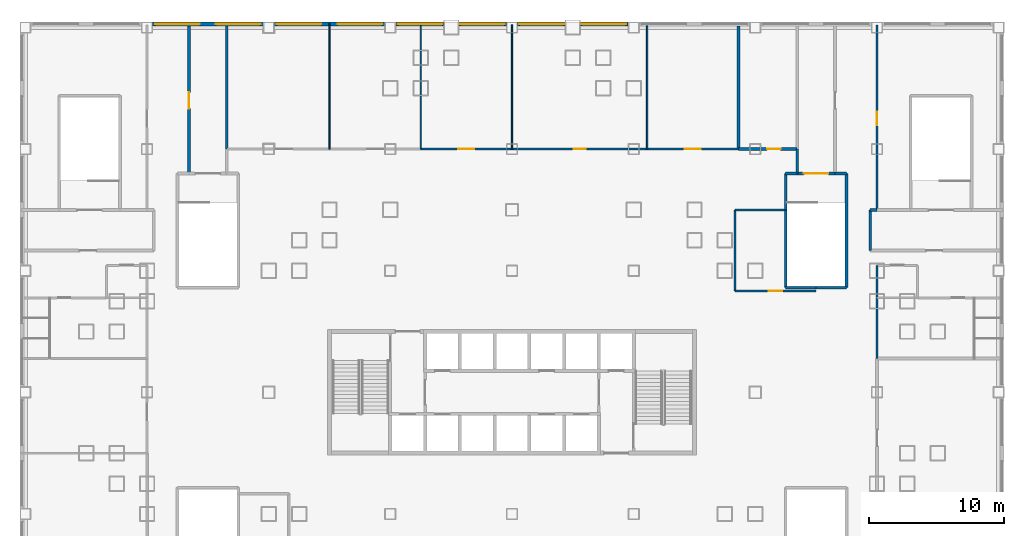
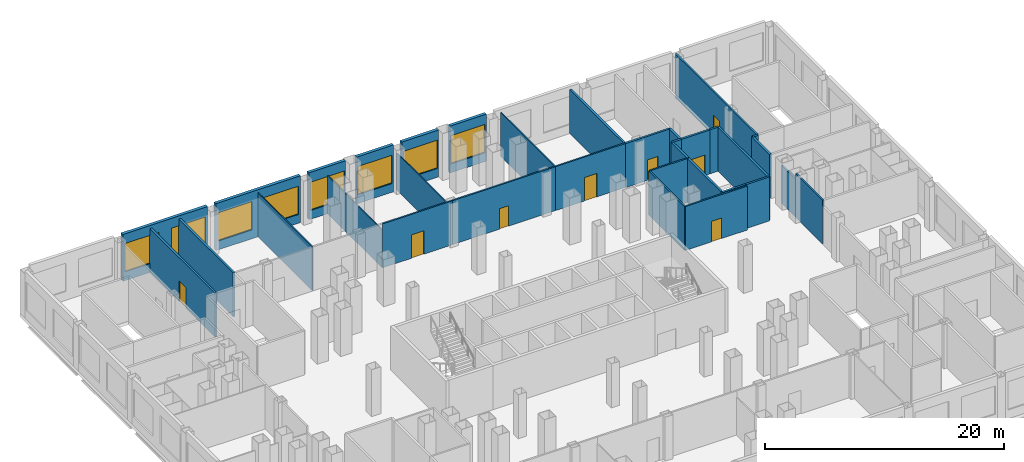
# One storey, part 6 of 13: 34 walls, 8 doors, 8 windows, 16 openings.
"""IFC4 building model written with IfcOpenShell, lengths in metres."""

from ifc_helpers import new_model, si_unit, direction, frame, frame_2d, origin, place, context, subcontext, project, spatial, rectangle, extrude, material, layer, layer_set, type_object, element, fill, save


model = new_model("IFC4")

# Units and contexts
model_context = context("Model", 3, precision=1e-05, world=origin(), true_north=direction((0.0, 1.0)))
body_context = subcontext(model_context, "Body", "Model", "MODEL_VIEW")
ifc_project = project(units=[si_unit("LENGTHUNIT", "METRE"), si_unit("AREAUNIT", "SQUARE_METRE"), si_unit("VOLUMEUNIT", "CUBIC_METRE"), si_unit("PLANEANGLEUNIT", "RADIAN"), si_unit("MASSUNIT", "GRAM", prefix="KILO")], contexts=[model_context])

# Site, building, storey
site_placement = place(None, origin())
site = spatial("IfcSite", under=ifc_project, at=site_placement, CompositionType="ELEMENT")
building_placement = place(site_placement, origin())
building = spatial("IfcBuilding", under=site, at=building_placement, Name="Caravel Reach Hotel and Residences", CompositionType="ELEMENT")
storey_placement = place(building_placement, frame((0.0, 0.0, 28.800048828125)))
storey = spatial("IfcBuildingStorey", under=building, at=storey_placement, Name="L05", CompositionType="ELEMENT", Elevation=28.800048828125)

# Wall
ifc_material_1 = material(Name="Autoclaved aerated block wall")
ifc_layer_1 = layer(ifc_material_1, 0.199951171875)
ifc_layer_set_1 = layer_set([ifc_layer_1], Name="Compartment wall 200 mm EI 120")
wall_type_1 = type_object("IfcWallType", Name="Compartment wall 200 mm EI 120", PredefinedType="PARTITIONING", material=ifc_layer_set_1)
wall_1_placement = place(storey_placement, frame((58.0, 40.5, 0.0), z_axis=(0.0, 0.0, 1.0), x_axis=(1.0, 0.0, 0.0)))
element("IfcWall", 1, at=wall_1_placement, inside=storey, type_object=wall_type_1, Name="L05 wall w057", PredefinedType="PARTITIONING", context=body_context, shape_type="SweptSolid", body=[
    extrude(rectangle(XDim=0.5, YDim=0.199951171875, at=frame_2d((0.25, 0.0))), origin(), (0.0, 0.0, 1.0), 4.5),
])

# Wall, opening, door
wall_2_placement = place(storey_placement, frame((48.25, 45.0, 0.0), z_axis=(0.0, 0.0, 1.0), x_axis=(1.0, 0.0, 0.0)))
wall_2 = element("IfcWall", 2, at=wall_2_placement, inside=storey, type_object=wall_type_1, Name="L05 wall w060", PredefinedType="PARTITIONING", context=body_context, shape_type="SweptSolid", body=[
    extrude(rectangle(XDim=4.35009765625, YDim=0.199951171875, at=frame_2d((2.175048828125, 0.0))), origin(), (0.0, 0.0, 1.0), 4.5),
])
opening_1_placement = place(wall_2_placement, frame((2.125, 0.0, 0.0)))
opening_1 = element("IfcOpeningElement", 3, at=opening_1_placement, cuts=wall_2, Name="Opening D05-047", PredefinedType="OPENING", context=body_context, shape_type="SweptSolid", body=[
    extrude(rectangle(XDim=1.0, YDim=2.10009765625, at=frame_2d((0.5, 1.050048828125))), frame((0.0, 0.10986328125, 0.0), z_axis=(0.0, -1.0, 0.0), x_axis=(1.0, 0.0, 0.0)), (0.0, 0.0, 1.0), 0.219970703125),
])
ifc_material_2 = material(Name="Steel fire door leaf", Category="steel")
door_type_1 = type_object("IfcDoorType", Name="Fire door 1000 x 2100 EI 60", OperationType="SINGLE_SWING_LEFT", PredefinedType="DOOR", material=ifc_material_2)
door_1_placement = place(opening_1_placement, origin())
door_1 = element("IfcDoor", 4, at=door_1_placement, inside=storey, type_object=door_type_1, Name="door D05-047", OperationType="SINGLE_SWING_RIGHT", OverallHeight=2.10009765625, OverallWidth=1.0, PredefinedType="DOOR", context=body_context, shape_type="SweptSolid", body=[
    extrude(rectangle(XDim=1.0, YDim=2.10009765625, at=frame_2d((0.5, 1.050048828125))), frame((0.0, 0.02490234375, 0.0), z_axis=(0.0, -1.0, 0.0), x_axis=(1.0, 0.0, 0.0)), (0.0, 0.0, 1.0), 0.050048828125),
])
fill(opening_1, door_1)

# Walls
for number, where, z_axis, x_axis, name in (
    (5, (10.39990234375, 45.0, 0.0), (0.0, 0.0, 1.0), (0.0, 1.0, 0.0), "L05 wall w062"),
    (6, (48.25, 45.0, 0.0), (0.0, 0.0, 1.0), (0.0, 1.0, 0.0), "L05 wall w065"),
):
    element("IfcWall", number, at=place(storey_placement, frame(where, z_axis=z_axis, x_axis=x_axis)), inside=storey, type_object=wall_type_1, Name=name, PredefinedType="PARTITIONING", context=body_context, shape_type="SweptSolid", body=[
        extrude(rectangle(XDim=9.1201171875, YDim=0.199951171875, at=frame_2d((4.56005859375, 0.0))), origin(), (0.0, 0.0, 1.0), 4.5),
    ])
wall_3_placement = place(storey_placement, frame((52.60009765625, 43.199951171875, 0.0), z_axis=(0.0, 0.0, 1.0), x_axis=(0.0, 1.0, 0.0)))
element("IfcWall", 7, at=wall_3_placement, inside=storey, type_object=wall_type_1, Name="L05 wall w067", PredefinedType="PARTITIONING", context=body_context, shape_type="SweptSolid", body=[
    extrude(rectangle(XDim=1.800048828125, YDim=0.199951171875, at=frame_2d((0.89990234375, 0.0))), origin(), (0.0, 0.0, 1.0), 4.5),
])
wall_4_placement = place(storey_placement, frame((58.0, 37.5, 0.0), z_axis=(0.0, 0.0, 1.0), x_axis=(0.0, 1.0, 0.0)))
element("IfcWall", 8, at=wall_4_placement, inside=storey, type_object=wall_type_1, Name="L05 wall w074", PredefinedType="PARTITIONING", context=body_context, shape_type="SweptSolid", body=[
    extrude(rectangle(XDim=3.0, YDim=0.199951171875, at=frame_2d((1.5, 0.0))), origin(), (0.0, 0.0, 1.0), 4.5),
])

# Wall, opening, door
wall_5_placement = place(storey_placement, frame((7.60009765625, 43.199951171875, 0.0), z_axis=(0.0, 0.0, 1.0), x_axis=(0.0, 1.0, 0.0)))
wall_5 = element("IfcWall", 9, at=wall_5_placement, inside=storey, type_object=wall_type_1, Name="L05 wall w079", PredefinedType="PARTITIONING", context=body_context, shape_type="SweptSolid", body=[
    extrude(rectangle(XDim=10.920166015625, YDim=0.199951171875, at=frame_2d((5.4599609375, 0.0))), origin(), (0.0, 0.0, 1.0), 4.5),
])
opening_2_placement = place(wall_5_placement, frame((4.800048828125, 0.0, 0.0)))
opening_2 = element("IfcOpeningElement", 10, at=opening_2_placement, cuts=wall_5, Name="Opening D05-014", PredefinedType="OPENING", context=body_context, shape_type="SweptSolid", body=[
    extrude(rectangle(XDim=1.199951171875, YDim=2.10009765625, at=frame_2d((0.60009765625, 1.050048828125))), frame((0.0, 0.10986328125, 0.0), z_axis=(0.0, -1.0, 0.0), x_axis=(1.0, 0.0, 0.0)), (0.0, 0.0, 1.0), 0.219970703125),
])
ifc_material_3 = material(Name="Steel fire door leaf", Category="steel")
door_type_2 = type_object("IfcDoorType", Name="Fire lobby door 1200 x 2100 EI 90", OperationType="SINGLE_SWING_LEFT", PredefinedType="DOOR", material=ifc_material_3)
door_2_placement = place(opening_2_placement, origin())
door_2 = element("IfcDoor", 11, at=door_2_placement, inside=storey, type_object=door_type_2, Name="door D05-014", OperationType="SINGLE_SWING_RIGHT", OverallHeight=2.10009765625, OverallWidth=1.199951171875, PredefinedType="DOOR", context=body_context, shape_type="SweptSolid", body=[
    extrude(rectangle(XDim=1.199951171875, YDim=2.10009765625, at=frame_2d((0.60009765625, 1.050048828125))), frame((0.0, 0.02490234375, 0.0), z_axis=(0.0, -1.0, 0.0), x_axis=(1.0, 0.0, 0.0)), (0.0, 0.0, 1.0), 0.050048828125),
])
fill(opening_2, door_2)

ifc_material_4 = material(Name="Gypsum board on steel stud, fire-rated", Category="steel")
ifc_layer_2 = layer(ifc_material_4, 0.14990234375)
ifc_layer_set_2 = layer_set([ifc_layer_2], Name="Corridor wall 150 mm EI 60")
wall_type_2 = type_object("IfcWallType", Name="Corridor wall 150 mm EI 60", PredefinedType="PARTITIONING", material=ifc_layer_set_2)
wall_6_placement = place(storey_placement, frame((48.0, 34.5, 0.0), z_axis=(0.0, 0.0, 1.0), x_axis=(1.0, 0.0, 0.0)))
wall_6 = element("IfcWall", 12, at=wall_6_placement, inside=storey, type_object=wall_type_2, Name="L05 wall w005", PredefinedType="PARTITIONING", context=body_context, shape_type="SweptSolid", body=[
    extrude(rectangle(XDim=6.0, YDim=0.14990234375, at=frame_2d((3.0, 0.0))), origin(), (0.0, 0.0, 1.0), 4.5),
])
opening_3_placement = place(wall_6_placement, frame((2.5, 0.0, 0.0)))
opening_3 = element("IfcOpeningElement", 13, at=opening_3_placement, cuts=wall_6, Name="Opening D05-049", PredefinedType="OPENING", context=body_context, shape_type="SweptSolid", body=[
    extrude(rectangle(XDim=1.0, YDim=2.10009765625, at=frame_2d((0.5, 1.050048828125))), frame((0.0, 0.0849609375, 0.0), z_axis=(0.0, -1.0, 0.0), x_axis=(1.0, 0.0, 0.0)), (0.0, 0.0, 1.0), 0.169921875),
])
door_3_placement = place(opening_3_placement, origin())
door_3 = element("IfcDoor", 14, at=door_3_placement, inside=storey, type_object=door_type_1, Name="door D05-049", OperationType="SINGLE_SWING_RIGHT", OverallHeight=2.10009765625, OverallWidth=1.0, PredefinedType="DOOR", context=body_context, shape_type="SweptSolid", body=[
    extrude(rectangle(XDim=1.0, YDim=2.10009765625, at=frame_2d((0.5, 1.050048828125))), frame((0.0, 0.02490234375, 0.0), z_axis=(0.0, -1.0, 0.0), x_axis=(1.0, 0.0, 0.0)), (0.0, 0.0, 1.0), 0.050048828125),
])
fill(opening_3, door_3)

# Wall
wall_7_placement = place(storey_placement, frame((48.0, 40.5, 0.0), z_axis=(0.0, 0.0, 1.0), x_axis=(1.0, 0.0, 0.0)))
element("IfcWall", 15, at=wall_7_placement, inside=storey, type_object=wall_type_2, Name="L05 wall w008", PredefinedType="PARTITIONING", context=body_context, shape_type="SweptSolid", body=[
    extrude(rectangle(XDim=3.75, YDim=0.14990234375, at=frame_2d((1.875, 0.0))), origin(), (0.0, 0.0, 1.0), 4.5),
])

# Wall, opening, door
wall_8_placement = place(storey_placement, frame((24.75, 45.0, 0.0), z_axis=(0.0, 0.0, 1.0), x_axis=(1.0, 0.0, 0.0)))
wall_8 = element("IfcWall", 16, at=wall_8_placement, inside=storey, type_object=wall_type_2, Name="L05 wall w011", PredefinedType="PARTITIONING", context=body_context, shape_type="SweptSolid", body=[
    extrude(rectangle(XDim=6.75, YDim=0.14990234375, at=frame_2d((3.375, 0.0))), origin(), (0.0, 0.0, 1.0), 4.5),
])
opening_4_placement = place(wall_8_placement, frame((2.77490234375, 0.0, 0.0)))
opening_4 = element("IfcOpeningElement", 17, at=opening_4_placement, cuts=wall_8, Name="Opening D05-044", PredefinedType="OPENING", context=body_context, shape_type="SweptSolid", body=[
    extrude(rectangle(XDim=1.199951171875, YDim=2.39990234375, at=frame_2d((0.60009765625, 1.199951171875))), frame((0.0, 0.0849609375, 0.0), z_axis=(0.0, -1.0, 0.0), x_axis=(1.0, 0.0, 0.0)), (0.0, 0.0, 1.0), 0.169921875),
])
ifc_material_5 = material(Name="Timber and steel door leaf", Category="steel")
door_type_3 = type_object("IfcDoorType", Name="Glazed door 1200 x 2400", OperationType="SINGLE_SWING_LEFT", PredefinedType="DOOR", material=ifc_material_5)
door_4_placement = place(opening_4_placement, origin())
door_4 = element("IfcDoor", 18, at=door_4_placement, inside=storey, type_object=door_type_3, Name="door D05-044", OperationType="SINGLE_SWING_LEFT", OverallHeight=2.39990234375, OverallWidth=1.199951171875, PredefinedType="DOOR", context=body_context, shape_type="SweptSolid", body=[
    extrude(rectangle(XDim=1.199951171875, YDim=2.39990234375, at=frame_2d((0.60009765625, 1.199951171875))), frame((0.0, 0.02490234375, 0.0), z_axis=(0.0, -1.0, 0.0), x_axis=(1.0, 0.0, 0.0)), (0.0, 0.0, 1.0), 0.050048828125),
])
fill(opening_4, door_4)

wall_9_placement = place(storey_placement, frame((31.5, 45.0, 0.0), z_axis=(0.0, 0.0, 1.0), x_axis=(1.0, 0.0, 0.0)))
wall_9 = element("IfcWall", 19, at=wall_9_placement, inside=storey, type_object=wall_type_2, Name="L05 wall w012", PredefinedType="PARTITIONING", context=body_context, shape_type="SweptSolid", body=[
    extrude(rectangle(XDim=10.0, YDim=0.14990234375, at=frame_2d((5.0, 0.0))), origin(), (0.0, 0.0, 1.0), 4.5),
])
opening_5_placement = place(wall_9_placement, frame((4.550048828125, 0.0, 0.0)))
opening_5 = element("IfcOpeningElement", 20, at=opening_5_placement, cuts=wall_9, Name="Opening D05-045", PredefinedType="OPENING", context=body_context, shape_type="SweptSolid", body=[
    extrude(rectangle(XDim=0.89990234375, YDim=2.10009765625, at=frame_2d((0.449951171875, 1.050048828125))), frame((0.0, 0.0849609375, 0.0), z_axis=(0.0, -1.0, 0.0), x_axis=(1.0, 0.0, 0.0)), (0.0, 0.0, 1.0), 0.169921875),
])
ifc_material_6 = material(Name="Timber and steel door leaf", Category="steel")
door_type_4 = type_object("IfcDoorType", Name="Door 900 x 2100 timber", OperationType="SINGLE_SWING_LEFT", PredefinedType="DOOR", material=ifc_material_6)
door_5_placement = place(opening_5_placement, origin())
door_5 = element("IfcDoor", 21, at=door_5_placement, inside=storey, type_object=door_type_4, Name="door D05-045", OperationType="SINGLE_SWING_RIGHT", OverallHeight=2.10009765625, OverallWidth=0.89990234375, PredefinedType="DOOR", context=body_context, shape_type="SweptSolid", body=[
    extrude(rectangle(XDim=0.89990234375, YDim=2.10009765625, at=frame_2d((0.449951171875, 1.050048828125))), frame((0.0, 0.02490234375, 0.0), z_axis=(0.0, -1.0, 0.0), x_axis=(1.0, 0.0, 0.0)), (0.0, 0.0, 1.0), 0.050048828125),
])
fill(opening_5, door_5)

wall_10_placement = place(storey_placement, frame((41.5, 45.0, 0.0), z_axis=(0.0, 0.0, 1.0), x_axis=(1.0, 0.0, 0.0)))
wall_10 = element("IfcWall", 22, at=wall_10_placement, inside=storey, type_object=wall_type_2, Name="L05 wall w013", PredefinedType="PARTITIONING", context=body_context, shape_type="SweptSolid", body=[
    extrude(rectangle(XDim=6.75, YDim=0.14990234375, at=frame_2d((3.375, 0.0))), origin(), (0.0, 0.0, 1.0), 4.5),
])
opening_6_placement = place(wall_10_placement, frame((2.77490234375, 0.0, 0.0)))
opening_6 = element("IfcOpeningElement", 23, at=opening_6_placement, cuts=wall_10, Name="Opening D05-046", PredefinedType="OPENING", context=body_context, shape_type="SweptSolid", body=[
    extrude(rectangle(XDim=1.199951171875, YDim=2.39990234375, at=frame_2d((0.60009765625, 1.199951171875))), frame((0.0, 0.0849609375, 0.0), z_axis=(0.0, -1.0, 0.0), x_axis=(1.0, 0.0, 0.0)), (0.0, 0.0, 1.0), 0.169921875),
])
door_6_placement = place(opening_6_placement, origin())
door_6 = element("IfcDoor", 24, at=door_6_placement, inside=storey, type_object=door_type_3, Name="door D05-046", OperationType="SINGLE_SWING_RIGHT", OverallHeight=2.39990234375, OverallWidth=1.199951171875, PredefinedType="DOOR", context=body_context, shape_type="SweptSolid", body=[
    extrude(rectangle(XDim=1.199951171875, YDim=2.39990234375, at=frame_2d((0.60009765625, 1.199951171875))), frame((0.0, 0.02490234375, 0.0), z_axis=(0.0, -1.0, 0.0), x_axis=(1.0, 0.0, 0.0)), (0.0, 0.0, 1.0), 0.050048828125),
])
fill(opening_6, door_6)

# Walls
wall_11_placement = place(storey_placement, frame((48.0, 34.5, 0.0), z_axis=(0.0, 0.0, 1.0), x_axis=(0.0, 1.0, 0.0)))
element("IfcWall", 25, at=wall_11_placement, inside=storey, type_object=wall_type_2, Name="L05 wall w027", PredefinedType="PARTITIONING", context=body_context, shape_type="SweptSolid", body=[
    extrude(rectangle(XDim=6.0, YDim=0.14990234375, at=frame_2d((3.0, 0.0))), origin(), (0.0, 0.0, 1.0), 4.5),
])
wall_12_placement = place(storey_placement, frame((58.5, 29.5, 0.0), z_axis=(0.0, 0.0, 1.0), x_axis=(0.0, 1.0, 0.0)))
element("IfcWall", 26, at=wall_12_placement, inside=storey, type_object=wall_type_2, Name="L05 wall w028", PredefinedType="PARTITIONING", context=body_context, shape_type="SweptSolid", body=[
    extrude(rectangle(XDim=4.5, YDim=0.14990234375, at=frame_2d((2.25, 0.0))), origin(), (0.0, 0.0, 1.0), 4.5),
])
wall_13_placement = place(storey_placement, frame((58.5, 34.0, 0.0), z_axis=(0.0, 0.0, 1.0), x_axis=(0.0, 1.0, 0.0)))
element("IfcWall", 27, at=wall_13_placement, inside=storey, type_object=wall_type_2, Name="L05 wall w029", PredefinedType="PARTITIONING", context=body_context, shape_type="SweptSolid", body=[
    extrude(rectangle(XDim=2.39990234375, YDim=0.14990234375, at=frame_2d((1.199951171875, 0.0))), origin(), (0.0, 0.0, 1.0), 3.8798828125),
])

# Wall, opening, door
wall_14_placement = place(storey_placement, frame((58.5, 40.5, 0.0), z_axis=(0.0, 0.0, 1.0), x_axis=(0.0, 1.0, 0.0)))
wall_14 = element("IfcWall", 28, at=wall_14_placement, inside=storey, type_object=wall_type_2, Name="L05 wall w030", PredefinedType="PARTITIONING", context=body_context, shape_type="SweptSolid", body=[
    extrude(rectangle(XDim=13.68994140625, YDim=0.14990234375, at=frame_2d((6.844970703125, 0.0))), origin(), (0.0, 0.0, 1.0), 4.5),
])
opening_7_placement = place(wall_14_placement, frame((6.25, 0.0, 0.0)))
opening_7 = element("IfcOpeningElement", 29, at=opening_7_placement, cuts=wall_14, Name="Opening D05-037", PredefinedType="OPENING", context=body_context, shape_type="SweptSolid", body=[
    extrude(rectangle(XDim=1.0, YDim=2.10009765625, at=frame_2d((0.5, 1.050048828125))), frame((0.0, 0.0849609375, 0.0), z_axis=(0.0, -1.0, 0.0), x_axis=(1.0, 0.0, 0.0)), (0.0, 0.0, 1.0), 0.169921875),
])
door_7_placement = place(opening_7_placement, origin())
door_7 = element("IfcDoor", 30, at=door_7_placement, inside=storey, type_object=door_type_1, Name="door D05-037", OperationType="SINGLE_SWING_LEFT", OverallHeight=2.10009765625, OverallWidth=1.0, PredefinedType="DOOR", context=body_context, shape_type="SweptSolid", body=[
    extrude(rectangle(XDim=1.0, YDim=2.10009765625, at=frame_2d((0.5, 1.050048828125))), frame((0.0, 0.02490234375, 0.0), z_axis=(0.0, -1.0, 0.0), x_axis=(1.0, 0.0, 0.0)), (0.0, 0.0, 1.0), 0.050048828125),
])
fill(opening_7, door_7)

# Wall, opening, window
ifc_material_7 = material(Name="Insulated wall, stone cladding", Category="masonry")
ifc_layer_3 = layer(ifc_material_7, 0.300048828125)
ifc_layer_set_3 = layer_set([ifc_layer_3], Name="EW2 Podium stone-clad wall")
wall_type_3 = type_object("IfcWallType", Name="EW2 Podium stone-clad wall", PredefinedType="SOLIDWALL", material=ifc_layer_set_3)
wall_15_placement = place(storey_placement, frame((40.10009765625, 54.25, 0.0), z_axis=(0.0, 0.0, 1.0), x_axis=(-1.0, 0.0, 0.0)))
wall_15 = element("IfcWall", 31, at=wall_15_placement, inside=storey, type_object=wall_type_3, Name="External wall L05 N2.4", PredefinedType="SOLIDWALL", context=body_context, shape_type="SweptSolid", body=[
    extrude(rectangle(XDim=3.550048828125, YDim=0.300048828125, at=frame_2d((1.77490234375, 0.0))), origin(), (0.0, 0.0, 1.0), 4.800048828125),
])
opening_8_placement = place(wall_15_placement, frame((0.14990234375, 0.0, 0.89990234375)))
opening_8 = element("IfcOpeningElement", 32, at=opening_8_placement, cuts=wall_15, Name="Opening WN32", PredefinedType="OPENING", context=body_context, shape_type="SweptSolid", body=[
    extrude(rectangle(XDim=3.300048828125, YDim=2.89990234375, at=frame_2d((1.64990234375, 1.449951171875))), frame((0.0, 0.159912109375, 0.0), z_axis=(0.0, -1.0, 0.0), x_axis=(1.0, 0.0, 0.0)), (0.0, 0.0, 1.0), 0.320068359375),
])
ifc_material_8 = material(Name="Dark low-e glazing in black aluminium frame", Category="aluminium")
window_type = type_object("IfcWindowType", Name="Podium window 3300 x 2900", PartitioningType="SINGLE_PANEL", PredefinedType="WINDOW", material=ifc_material_8)
window_1_placement = place(opening_8_placement, origin())
window_1 = element("IfcWindow", 33, at=window_1_placement, inside=storey, type_object=window_type, Name="Window L05 N2.4.1", OverallHeight=2.89990234375, OverallWidth=3.300048828125, PartitioningType="SINGLE_PANEL", PredefinedType="WINDOW", context=body_context, shape_type="SweptSolid", body=[
    extrude(rectangle(XDim=3.300048828125, YDim=2.89990234375, at=frame_2d((1.64990234375, 1.449951171875))), frame((0.0, 0.030029296875, 0.0), z_axis=(0.0, -1.0, 0.0), x_axis=(1.0, 0.0, 0.0)), (0.0, 0.0, 1.0), 0.06005859375),
])
fill(opening_8, window_1)

wall_16_placement = place(storey_placement, frame((35.449951171875, 54.25, 0.0), z_axis=(0.0, 0.0, 1.0), x_axis=(-1.0, 0.0, 0.0)))
wall_16 = element("IfcWall", 34, at=wall_16_placement, inside=storey, type_object=wall_type_3, Name="External wall L05 N2.5", PredefinedType="SOLIDWALL", context=body_context, shape_type="SweptSolid", body=[
    extrude(rectangle(XDim=3.550048828125, YDim=0.300048828125, at=frame_2d((1.77490234375, 0.0))), origin(), (0.0, 0.0, 1.0), 4.800048828125),
])
opening_9_placement = place(wall_16_placement, frame((0.10009765625, 0.0, 0.89990234375)))
opening_9 = element("IfcOpeningElement", 35, at=opening_9_placement, cuts=wall_16, Name="Opening WN32", PredefinedType="OPENING", context=body_context, shape_type="SweptSolid", body=[
    extrude(rectangle(XDim=3.300048828125, YDim=2.89990234375, at=frame_2d((1.64990234375, 1.449951171875))), frame((0.0, 0.159912109375, 0.0), z_axis=(0.0, -1.0, 0.0), x_axis=(1.0, 0.0, 0.0)), (0.0, 0.0, 1.0), 0.320068359375),
])
window_2_placement = place(opening_9_placement, origin())
window_2 = element("IfcWindow", 36, at=window_2_placement, inside=storey, type_object=window_type, Name="Window L05 N2.5.1", OverallHeight=2.89990234375, OverallWidth=3.300048828125, PartitioningType="SINGLE_PANEL", PredefinedType="WINDOW", context=body_context, shape_type="SweptSolid", body=[
    extrude(rectangle(XDim=3.300048828125, YDim=2.89990234375, at=frame_2d((1.64990234375, 1.449951171875))), frame((0.0, 0.030029296875, 0.0), z_axis=(0.0, -1.0, 0.0), x_axis=(1.0, 0.0, 0.0)), (0.0, 0.0, 1.0), 0.06005859375),
])
fill(opening_9, window_2)

wall_17_placement = place(storey_placement, frame((31.10009765625, 54.25, 0.0), z_axis=(0.0, 0.0, 1.0), x_axis=(-1.0, 0.0, 0.0)))
wall_17 = element("IfcWall", 37, at=wall_17_placement, inside=storey, type_object=wall_type_3, Name="External wall L05 N2.6", PredefinedType="SOLIDWALL", context=body_context, shape_type="SweptSolid", body=[
    extrude(rectangle(XDim=3.550048828125, YDim=0.300048828125, at=frame_2d((1.77490234375, 0.0))), origin(), (0.0, 0.0, 1.0), 4.800048828125),
])
opening_10_placement = place(wall_17_placement, frame((0.14990234375, 0.0, 0.89990234375)))
opening_10 = element("IfcOpeningElement", 38, at=opening_10_placement, cuts=wall_17, Name="Opening WN32", PredefinedType="OPENING", context=body_context, shape_type="SweptSolid", body=[
    extrude(rectangle(XDim=3.300048828125, YDim=2.89990234375, at=frame_2d((1.64990234375, 1.449951171875))), frame((0.0, 0.159912109375, 0.0), z_axis=(0.0, -1.0, 0.0), x_axis=(1.0, 0.0, 0.0)), (0.0, 0.0, 1.0), 0.320068359375),
])
window_3_placement = place(opening_10_placement, origin())
window_3 = element("IfcWindow", 39, at=window_3_placement, inside=storey, type_object=window_type, Name="Window L05 N2.6.1", OverallHeight=2.89990234375, OverallWidth=3.300048828125, PartitioningType="SINGLE_PANEL", PredefinedType="WINDOW", context=body_context, shape_type="SweptSolid", body=[
    extrude(rectangle(XDim=3.300048828125, YDim=2.89990234375, at=frame_2d((1.64990234375, 1.449951171875))), frame((0.0, 0.030029296875, 0.0), z_axis=(0.0, -1.0, 0.0), x_axis=(1.0, 0.0, 0.0)), (0.0, 0.0, 1.0), 0.06005859375),
])
fill(opening_10, window_3)

wall_18_placement = place(storey_placement, frame((26.449951171875, 54.25, 0.0), z_axis=(0.0, 0.0, 1.0), x_axis=(-1.0, 0.0, 0.0)))
wall_18 = element("IfcWall", 40, at=wall_18_placement, inside=storey, type_object=wall_type_3, Name="External wall L05 N2.7", PredefinedType="SOLIDWALL", context=body_context, shape_type="SweptSolid", body=[
    extrude(rectangle(XDim=3.550048828125, YDim=0.300048828125, at=frame_2d((1.77490234375, 0.0))), origin(), (0.0, 0.0, 1.0), 4.800048828125),
])
opening_11_placement = place(wall_18_placement, frame((0.10009765625, 0.0, 0.89990234375)))
opening_11 = element("IfcOpeningElement", 41, at=opening_11_placement, cuts=wall_18, Name="Opening WN32", PredefinedType="OPENING", context=body_context, shape_type="SweptSolid", body=[
    extrude(rectangle(XDim=3.300048828125, YDim=2.89990234375, at=frame_2d((1.64990234375, 1.449951171875))), frame((0.0, 0.159912109375, 0.0), z_axis=(0.0, -1.0, 0.0), x_axis=(1.0, 0.0, 0.0)), (0.0, 0.0, 1.0), 0.320068359375),
])
window_4_placement = place(opening_11_placement, origin())
window_4 = element("IfcWindow", 42, at=window_4_placement, inside=storey, type_object=window_type, Name="Window L05 N2.7.1", OverallHeight=2.89990234375, OverallWidth=3.300048828125, PartitioningType="SINGLE_PANEL", PredefinedType="WINDOW", context=body_context, shape_type="SweptSolid", body=[
    extrude(rectangle(XDim=3.300048828125, YDim=2.89990234375, at=frame_2d((1.64990234375, 1.449951171875))), frame((0.0, 0.030029296875, 0.0), z_axis=(0.0, -1.0, 0.0), x_axis=(1.0, 0.0, 0.0)), (0.0, 0.0, 1.0), 0.06005859375),
])
fill(opening_11, window_4)

# Wall, openings, windows
wall_19_placement = place(storey_placement, frame((22.10009765625, 54.25, 0.0), z_axis=(0.0, 0.0, 1.0), x_axis=(-1.0, 0.0, 0.0)))
wall_19 = element("IfcWall", 43, at=wall_19_placement, inside=storey, type_object=wall_type_3, Name="External wall L05 N2.8", PredefinedType="SOLIDWALL", context=body_context, shape_type="SweptSolid", body=[
    extrude(rectangle(XDim=8.2001953125, YDim=0.300048828125, at=frame_2d((4.10009765625, 0.0))), origin(), (0.0, 0.0, 1.0), 4.800048828125),
])
opening_12_placement = place(wall_19_placement, frame((0.199951171875, 0.0, 0.89990234375)))
opening_12 = element("IfcOpeningElement", 44, at=opening_12_placement, cuts=wall_19, Name="Opening WN32", PredefinedType="OPENING", context=body_context, shape_type="SweptSolid", body=[
    extrude(rectangle(XDim=3.300048828125, YDim=2.89990234375, at=frame_2d((1.64990234375, 1.449951171875))), frame((0.0, 0.159912109375, 0.0), z_axis=(0.0, -1.0, 0.0), x_axis=(1.0, 0.0, 0.0)), (0.0, 0.0, 1.0), 0.320068359375),
])
opening_13_placement = place(wall_19_placement, frame((4.699951171875, 0.0, 0.89990234375)))
opening_13 = element("IfcOpeningElement", 45, at=opening_13_placement, cuts=wall_19, Name="Opening WN32", PredefinedType="OPENING", context=body_context, shape_type="SweptSolid", body=[
    extrude(rectangle(XDim=3.300048828125, YDim=2.89990234375, at=frame_2d((1.64990234375, 1.449951171875))), frame((0.0, 0.159912109375, 0.0), z_axis=(0.0, -1.0, 0.0), x_axis=(1.0, 0.0, 0.0)), (0.0, 0.0, 1.0), 0.320068359375),
])
window_5_placement = place(opening_12_placement, origin())
window_5 = element("IfcWindow", 46, at=window_5_placement, inside=storey, type_object=window_type, Name="Window L05 N2.8.1", OverallHeight=2.89990234375, OverallWidth=3.300048828125, PartitioningType="SINGLE_PANEL", PredefinedType="WINDOW", context=body_context, shape_type="SweptSolid", body=[
    extrude(rectangle(XDim=3.300048828125, YDim=2.89990234375, at=frame_2d((1.64990234375, 1.449951171875))), frame((0.0, 0.030029296875, 0.0), z_axis=(0.0, -1.0, 0.0), x_axis=(1.0, 0.0, 0.0)), (0.0, 0.0, 1.0), 0.06005859375),
])
fill(opening_12, window_5)
window_6_placement = place(opening_13_placement, origin())
window_6 = element("IfcWindow", 47, at=window_6_placement, inside=storey, type_object=window_type, Name="Window L05 N2.8.2", OverallHeight=2.89990234375, OverallWidth=3.300048828125, PartitioningType="SINGLE_PANEL", PredefinedType="WINDOW", context=body_context, shape_type="SweptSolid", body=[
    extrude(rectangle(XDim=3.300048828125, YDim=2.89990234375, at=frame_2d((1.64990234375, 1.449951171875))), frame((0.0, 0.030029296875, 0.0), z_axis=(0.0, -1.0, 0.0), x_axis=(1.0, 0.0, 0.0)), (0.0, 0.0, 1.0), 0.06005859375),
])
fill(opening_13, window_6)

wall_20_placement = place(storey_placement, frame((13.10009765625, 54.25, 0.0), z_axis=(0.0, 0.0, 1.0), x_axis=(-1.0, 0.0, 0.0)))
wall_20 = element("IfcWall", 48, at=wall_20_placement, inside=storey, type_object=wall_type_3, Name="External wall L05 N2.9", PredefinedType="SOLIDWALL", context=body_context, shape_type="SweptSolid", body=[
    extrude(rectangle(XDim=8.2001953125, YDim=0.300048828125, at=frame_2d((4.10009765625, 0.0))), origin(), (0.0, 0.0, 1.0), 4.800048828125),
])
opening_14_placement = place(wall_20_placement, frame((0.199951171875, 0.0, 0.89990234375)))
opening_14 = element("IfcOpeningElement", 49, at=opening_14_placement, cuts=wall_20, Name="Opening WN32", PredefinedType="OPENING", context=body_context, shape_type="SweptSolid", body=[
    extrude(rectangle(XDim=3.300048828125, YDim=2.89990234375, at=frame_2d((1.64990234375, 1.449951171875))), frame((0.0, 0.159912109375, 0.0), z_axis=(0.0, -1.0, 0.0), x_axis=(1.0, 0.0, 0.0)), (0.0, 0.0, 1.0), 0.320068359375),
])
opening_15_placement = place(wall_20_placement, frame((4.699951171875, 0.0, 0.89990234375)))
opening_15 = element("IfcOpeningElement", 50, at=opening_15_placement, cuts=wall_20, Name="Opening WN32", PredefinedType="OPENING", context=body_context, shape_type="SweptSolid", body=[
    extrude(rectangle(XDim=3.300048828125, YDim=2.89990234375, at=frame_2d((1.64990234375, 1.449951171875))), frame((0.0, 0.159912109375, 0.0), z_axis=(0.0, -1.0, 0.0), x_axis=(1.0, 0.0, 0.0)), (0.0, 0.0, 1.0), 0.320068359375),
])
window_7_placement = place(opening_14_placement, origin())
window_7 = element("IfcWindow", 51, at=window_7_placement, inside=storey, type_object=window_type, Name="Window L05 N2.9.1", OverallHeight=2.89990234375, OverallWidth=3.300048828125, PartitioningType="SINGLE_PANEL", PredefinedType="WINDOW", context=body_context, shape_type="SweptSolid", body=[
    extrude(rectangle(XDim=3.300048828125, YDim=2.89990234375, at=frame_2d((1.64990234375, 1.449951171875))), frame((0.0, 0.030029296875, 0.0), z_axis=(0.0, -1.0, 0.0), x_axis=(1.0, 0.0, 0.0)), (0.0, 0.0, 1.0), 0.06005859375),
])
fill(opening_14, window_7)
window_8_placement = place(opening_15_placement, origin())
window_8 = element("IfcWindow", 52, at=window_8_placement, inside=storey, type_object=window_type, Name="Window L05 N2.9.2", OverallHeight=2.89990234375, OverallWidth=3.300048828125, PartitioningType="SINGLE_PANEL", PredefinedType="WINDOW", context=body_context, shape_type="SweptSolid", body=[
    extrude(rectangle(XDim=3.300048828125, YDim=2.89990234375, at=frame_2d((1.64990234375, 1.449951171875))), frame((0.0, 0.030029296875, 0.0), z_axis=(0.0, -1.0, 0.0), x_axis=(1.0, 0.0, 0.0)), (0.0, 0.0, 1.0), 0.06005859375),
])
fill(opening_15, window_8)

# Walls
ifc_material_9 = material(Name="Gypsum board on steel stud", Category="steel")
ifc_layer_4 = layer(ifc_material_9, 0.10009765625)
ifc_layer_set_4 = layer_set([ifc_layer_4], Name="Partition 100 mm")
wall_type_4 = type_object("IfcWallType", Name="Partition 100 mm", PredefinedType="PARTITIONING", material=ifc_layer_set_4)
wall_21_placement = place(storey_placement, frame((18.0, 45.0, 0.0), z_axis=(0.0, 0.0, 1.0), x_axis=(0.0, 1.0, 0.0)))
element("IfcWall", 53, at=wall_21_placement, inside=storey, type_object=wall_type_4, Name="L05 wall w036", PredefinedType="PARTITIONING", context=body_context, shape_type="SweptSolid", body=[
    extrude(rectangle(XDim=9.2900390625, YDim=0.10009765625, at=frame_2d((4.64501953125, 0.0))), origin(), (0.0, 0.0, 1.0), 4.5),
])
wall_22_placement = place(storey_placement, frame((24.75, 45.0, 0.0), z_axis=(0.0, 0.0, 1.0), x_axis=(0.0, 1.0, 0.0)))
element("IfcWall", 54, at=wall_22_placement, inside=storey, type_object=wall_type_4, Name="L05 wall w038", PredefinedType="PARTITIONING", context=body_context, shape_type="SweptSolid", body=[
    extrude(rectangle(XDim=9.1201171875, YDim=0.10009765625, at=frame_2d((4.56005859375, 0.0))), origin(), (0.0, 0.0, 1.0), 3.8798828125),
])
wall_23_placement = place(storey_placement, frame((31.5, 45.0, 0.0), z_axis=(0.0, 0.0, 1.0), x_axis=(0.0, 1.0, 0.0)))
element("IfcWall", 55, at=wall_23_placement, inside=storey, type_object=wall_type_4, Name="L05 wall w039", PredefinedType="PARTITIONING", context=body_context, shape_type="SweptSolid", body=[
    extrude(rectangle(XDim=9.18994140625, YDim=0.10009765625, at=frame_2d((4.594970703125, 0.0))), origin(), (0.0, 0.0, 1.0), 3.780029296875),
])
wall_24_placement = place(storey_placement, frame((41.5, 45.0, 0.0), z_axis=(0.0, 0.0, 1.0), x_axis=(0.0, 1.0, 0.0)))
element("IfcWall", 56, at=wall_24_placement, inside=storey, type_object=wall_type_4, Name="L05 wall w042", PredefinedType="PARTITIONING", context=body_context, shape_type="SweptSolid", body=[
    extrude(rectangle(XDim=9.1201171875, YDim=0.10009765625, at=frame_2d((4.56005859375, 0.0))), origin(), (0.0, 0.0, 1.0), 4.5),
])
ifc_material_10 = material(Name="Concrete C60", Category="concrete")
ifc_layer_5 = layer(ifc_material_10, 0.199951171875)
ifc_layer_set_5 = layer_set([ifc_layer_5], Name="Stair enclosure wall 200 mm EI 120")
wall_type_5 = type_object("IfcWallType", Name="Stair enclosure wall 200 mm EI 120", PredefinedType="SHEAR", material=ifc_layer_set_5)
for number, where, z_axis, x_axis, name in (
    (57, (54.0, 34.75, 0.0), (0.0, 0.0, 1.0), (1.0, 0.0, 0.0), "L05 wall w092"),
    (58, (51.75, 34.75, 0.0), (0.0, 0.0, 1.0), (1.0, 0.0, 0.0), "L05 wall w093"),
):
    element("IfcWall", number, at=place(storey_placement, frame(where, z_axis=z_axis, x_axis=x_axis)), inside=storey, type_object=wall_type_5, Name=name, PredefinedType="SHEAR", context=body_context, shape_type="SweptSolid", body=[
        extrude(rectangle(XDim=2.25, YDim=0.199951171875, at=frame_2d((1.125, 0.0))), origin(), (0.0, 0.0, 1.0), 4.5),
    ])
for number, where, z_axis, x_axis, name in (
    (59, (51.75, 43.199951171875, 0.0), (0.0, 0.0, 1.0), (1.0, 0.0, 0.0), "L05 wall w099"),
    (60, (55.39990234375, 43.199951171875, 0.0), (0.0, 0.0, 1.0), (1.0, 0.0, 0.0), "L05 wall w100"),
):
    element("IfcWall", number, at=place(storey_placement, frame(where, z_axis=z_axis, x_axis=x_axis)), inside=storey, type_object=wall_type_5, Name=name, PredefinedType="SHEAR", context=body_context, shape_type="SweptSolid", body=[
        extrude(rectangle(XDim=0.85009765625, YDim=0.199951171875, at=frame_2d((0.425048828125, 0.0))), origin(), (0.0, 0.0, 1.0), 4.5),
    ])

# Wall, opening, door
wall_25_placement = place(storey_placement, frame((52.60009765625, 43.199951171875, 0.0), z_axis=(0.0, 0.0, 1.0), x_axis=(1.0, 0.0, 0.0)))
wall_25 = element("IfcWall", 61, at=wall_25_placement, inside=storey, type_object=wall_type_5, Name="L05 wall w101", PredefinedType="SHEAR", context=body_context, shape_type="SweptSolid", body=[
    extrude(rectangle(XDim=2.7998046875, YDim=0.199951171875, at=frame_2d((1.39990234375, 0.0))), origin(), (0.0, 0.0, 1.0), 4.5),
])
opening_16_placement = place(wall_25_placement, frame((0.5, 0.0, 0.0)))
opening_16 = element("IfcOpeningElement", 62, at=opening_16_placement, cuts=wall_25, Name="Opening D05-017", PredefinedType="OPENING", context=body_context, shape_type="SweptSolid", body=[
    extrude(rectangle(XDim=1.800048828125, YDim=2.10009765625, at=frame_2d((0.89990234375, 1.050048828125))), frame((0.0, 0.10986328125, 0.0), z_axis=(0.0, -1.0, 0.0), x_axis=(1.0, 0.0, 0.0)), (0.0, 0.0, 1.0), 0.219970703125),
])
ifc_material_11 = material(Name="Steel fire door leaf", Category="steel")
door_type_5 = type_object("IfcDoorType", Name="Stair door pair 1800 x 2100 EI 90", OperationType="DOUBLE_DOOR_SINGLE_SWING", PredefinedType="DOOR", material=ifc_material_11)
door_8_placement = place(opening_16_placement, origin())
door_8 = element("IfcDoor", 63, at=door_8_placement, inside=storey, type_object=door_type_5, Name="door D05-017", OperationType="DOUBLE_DOOR_SINGLE_SWING", OverallHeight=2.10009765625, OverallWidth=1.800048828125, PredefinedType="DOOR", context=body_context, shape_type="SweptSolid", body=[
    extrude(rectangle(XDim=1.800048828125, YDim=2.10009765625, at=frame_2d((0.89990234375, 1.050048828125))), frame((0.0, 0.02490234375, 0.0), z_axis=(0.0, -1.0, 0.0), x_axis=(1.0, 0.0, 0.0)), (0.0, 0.0, 1.0), 0.050048828125),
])
fill(opening_16, door_8)

# Walls
wall_26_placement = place(storey_placement, frame((51.75, 40.5, 0.0), z_axis=(0.0, 0.0, 1.0), x_axis=(0.0, 1.0, 0.0)))
element("IfcWall", 64, at=wall_26_placement, inside=storey, type_object=wall_type_5, Name="L05 wall w111", PredefinedType="SHEAR", context=body_context, shape_type="SweptSolid", body=[
    extrude(rectangle(XDim=2.699951171875, YDim=0.199951171875, at=frame_2d((1.35009765625, 0.0))), origin(), (0.0, 0.0, 1.0), 4.5),
])
wall_27_placement = place(storey_placement, frame((51.75, 34.75, 0.0), z_axis=(0.0, 0.0, 1.0), x_axis=(0.0, 1.0, 0.0)))
element("IfcWall", 65, at=wall_27_placement, inside=storey, type_object=wall_type_5, Name="L05 wall w112", PredefinedType="SHEAR", context=body_context, shape_type="SweptSolid", body=[
    extrude(rectangle(XDim=5.75, YDim=0.199951171875, at=frame_2d((2.875, 0.0))), origin(), (0.0, 0.0, 1.0), 4.5),
])
wall_28_placement = place(storey_placement, frame((56.25, 34.75, 0.0), z_axis=(0.0, 0.0, 1.0), x_axis=(0.0, 1.0, 0.0)))
element("IfcWall", 66, at=wall_28_placement, inside=storey, type_object=wall_type_5, Name="L05 wall w114", PredefinedType="SHEAR", context=body_context, shape_type="SweptSolid", body=[
    extrude(rectangle(XDim=8.449951171875, YDim=0.199951171875, at=frame_2d((4.22509765625, 0.0))), origin(), (0.0, 0.0, 1.0), 4.5),
])

save(model, "model.ifc")
